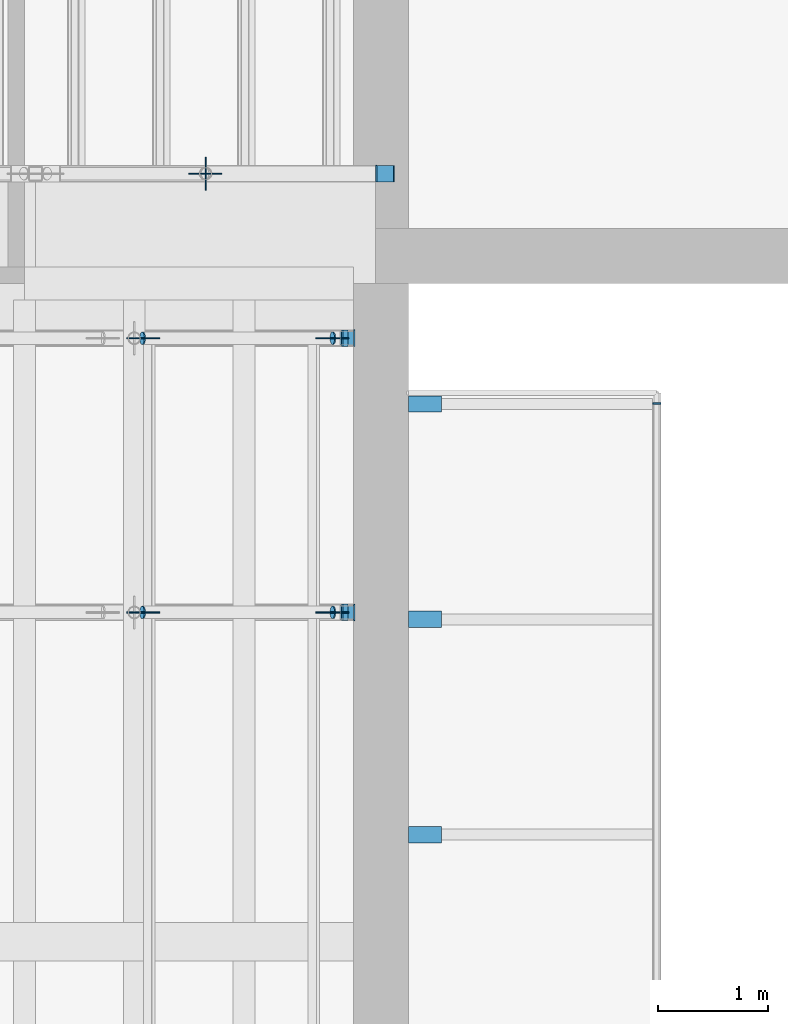
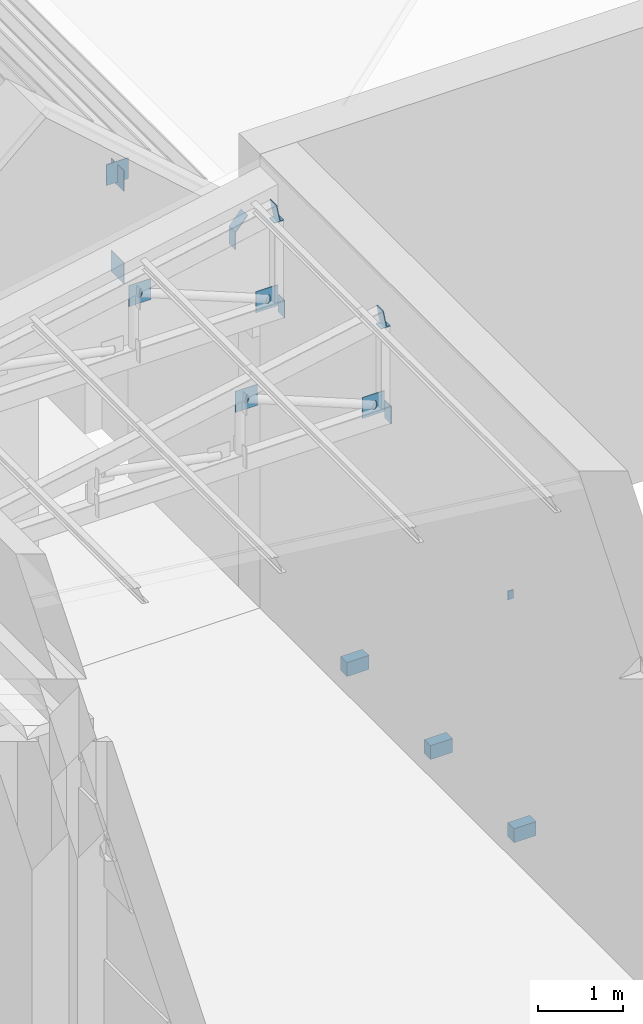
# One storey, part 97 of 118: 23 discrete accessories.
"""IFC4 building model written with IfcOpenShell, lengths in metres."""

from ifc_helpers import new_model, si_unit, direction, frame, origin, origin_2d, place, context, subcontext, project, spatial, rectangle, circle, extrude, material, material_profile, profile_set, type_object, element, save


model = new_model("IFC4")

# Units and contexts
model_context = context("Model", 3, precision=1e-05, world=origin(), true_north=direction((0.0, 1.0)))
body_context = subcontext(model_context, "Body", "Model", "MODEL_VIEW")
ifc_project = project(units=[si_unit("LENGTHUNIT", "METRE"), si_unit("AREAUNIT", "SQUARE_METRE"), si_unit("VOLUMEUNIT", "CUBIC_METRE"), si_unit("PLANEANGLEUNIT", "RADIAN"), si_unit("MASSUNIT", "GRAM", prefix="KILO")], contexts=[model_context])

# Site, building, storey
site_placement = place(None, origin())
site = spatial("IfcSite", under=ifc_project, at=site_placement, CompositionType="ELEMENT")
building_placement = place(site_placement, origin())
building = spatial("IfcBuilding", under=site, at=building_placement, Name="Saffron Lane Theatres", CompositionType="ELEMENT")
storey_placement = place(building_placement, frame((0.0, 0.0, 16.5)))
storey = spatial("IfcBuildingStorey", under=building, at=storey_placement, Name="L03", CompositionType="ELEMENT", Elevation=16.5)

# Discrete accessories
ifc_material_1 = material(Name="Steel Grade 350", Category="steel")
ifc_material_profile_1 = material_profile(ifc_material_1, rectangle(XDim=0.300048828125, YDim=0.300048828125, at=origin_2d()))
ifc_profile_set_1 = profile_set([ifc_material_profile_1], Name="Steel Grade 350")
discrete_accessory_type_1 = type_object("IfcDiscreteAccessoryType", Name="ST-GUSSET CONNECTION PLATE", PredefinedType="BRACKET", material=ifc_profile_set_1)
for number, where, z_axis, x_axis, name in (
    (1, (16.64501953125, 55.0, 4.75), (1.0, 0.0, 0.0), (0.0, 1.0, 0.0), "GB219"),
    (2, (16.64501953125, 55.0, 6.073486328125), (1.0, 0.0, 0.0), (0.0, 1.0, 0.0), "GB220"),
):
    element("IfcDiscreteAccessory", number, at=place(storey_placement, frame(where, z_axis=z_axis, x_axis=x_axis)), inside=storey, type_object=discrete_accessory_type_1, Name=name, PredefinedType="BRACKET", context=body_context, shape_type="SweptSolid", body=[
        extrude(rectangle(XDim=0.300048828125, YDim=0.300048828125, at=origin_2d()), origin(), (0.0, 0.0, 1.0), 0.010009765625),
    ])
for number, where, z_axis, x_axis, name in (
    (3, (16.645751953125, 54.9951171875, 6.120361328125), (0.0, 1.0, 0.0), (-1.0, 0.0, 0.0), "GB224"),
    (4, (17.80517578125, 50.9951171875, 4.802978515625), (0.0, 1.0, 0.0), (-1.0, 0.0, 0.0), "GB365"),
    (5, (16.082275390625, 50.9951171875, 5.493896484375), (0.0, 1.0, 0.0), (-1.0, 0.0, 0.0), "GB366"),
    (6, (17.80517578125, 53.4951171875, 4.802978515625), (0.0, 1.0, 0.0), (-1.0, 0.0, 0.0), "GB373"),
    (7, (16.082275390625, 53.4951171875, 5.493896484375), (0.0, 1.0, 0.0), (-1.0, 0.0, 0.0), "GB374"),
):
    element("IfcDiscreteAccessory", number, at=place(storey_placement, frame(where, z_axis=z_axis, x_axis=x_axis)), inside=storey, type_object=discrete_accessory_type_1, Name=name, PredefinedType="BRACKET", context=body_context, shape_type="SweptSolid", body=[
        extrude(rectangle(XDim=0.300048828125, YDim=0.300048828125, at=origin_2d()), origin(), (0.0, 0.0, 1.0), 0.009765625),
    ])
ifc_material_2 = material(Name="Steel Grade 350", Category="steel")
ifc_material_profile_2 = material_profile(ifc_material_2, circle(Radius=0.05712890625, at=origin_2d()))
ifc_profile_set_2 = profile_set([ifc_material_profile_2], Name="Steel Grade 350")
discrete_accessory_type_2 = type_object("IfcDiscreteAccessoryType", Name="ST-STEEL END CAP 114.3x6.0 CHS", PredefinedType="ANCHORPLATE", material=ifc_profile_set_2)
for number, where, z_axis, x_axis, name in (
    (8, (17.81640625, 51.0, 4.798583984375), (-0.931242779706, 0.0, 0.364399348581), (0.0, -1.0, 0.0), "EC502"),
    (9, (16.082275390625, 51.0, 5.493896484375), (-0.931242779706, 0.0, 0.364399348581), (0.0, -1.0, 0.0), "EC503"),
    (10, (17.81640625, 53.5, 4.798583984375), (-0.931242779706, 0.0, 0.364399348581), (0.0, -1.0, 0.0), "EC513"),
    (11, (16.082275390625, 53.5, 5.493896484375), (-0.931242779706, 0.0, 0.364399348581), (0.0, -1.0, 0.0), "EC514"),
):
    element("IfcDiscreteAccessory", number, at=place(storey_placement, frame(where, z_axis=z_axis, x_axis=x_axis)), inside=storey, type_object=discrete_accessory_type_2, Name=name, PredefinedType="ANCHORPLATE", context=body_context, shape_type="SweptSolid", body=[
        extrude(circle(Radius=0.05712890625, at=origin_2d()), origin(), (0.0, 0.0, 1.0), 0.011962890625),
    ])
ifc_material_3 = material(Name="Steel Grade 350", Category="steel")
ifc_material_profile_3 = material_profile(ifc_material_3, rectangle(XDim=0.125, YDim=0.125, at=origin_2d()))
ifc_profile_set_3 = profile_set([ifc_material_profile_3], Name="Steel Grade 350")
discrete_accessory_type_3 = type_object("IfcDiscreteAccessoryType", Name="ST-STEEL END CAP 125x125x6 SHS", PredefinedType="ANCHORPLATE", material=ifc_profile_set_3)
for number, where, z_axis, x_axis, name in (
    (12, (17.9375, 51.0, 5.890869140625), (0.0, 0.0, 1.0), (1.0, 0.0, 0.0), "EC499"),
    (13, (17.9375, 53.5, 5.890869140625), (0.0, 0.0, 1.0), (1.0, 0.0, 0.0), "EC510"),
):
    element("IfcDiscreteAccessory", number, at=place(storey_placement, frame(where, z_axis=z_axis, x_axis=x_axis)), inside=storey, type_object=discrete_accessory_type_3, Name=name, PredefinedType="ANCHORPLATE", context=body_context, shape_type="SweptSolid", body=[
        extrude(rectangle(XDim=0.125, YDim=0.125, at=origin_2d()), origin(), (0.0, 0.0, 1.0), 0.011962890625),
    ])
ifc_material_4 = material(Name="Steel Grade 350", Category="steel")
ifc_material_profile_4 = material_profile(ifc_material_4, rectangle(XDim=0.074951171875, YDim=0.125, at=origin_2d()))
ifc_profile_set_4 = profile_set([ifc_material_profile_4], Name="Steel Grade 350")
discrete_accessory_type_4 = type_object("IfcDiscreteAccessoryType", Name="ST-STEEL END CAP 125x75x5 RHS", PredefinedType="ANCHORPLATE", material=ifc_profile_set_4)
discrete_accessory_1_placement = place(storey_placement, frame((20.762451171875, 52.89990234375, -0.112548828125), z_axis=(0.0, 1.0, 0.0), x_axis=(-1.0, 0.0, 0.0)))
element("IfcDiscreteAccessory", 14, at=discrete_accessory_1_placement, inside=storey, type_object=discrete_accessory_type_4, Name="EC590", PredefinedType="ANCHORPLATE", context=body_context, shape_type="SweptSolid", body=[
    extrude(rectangle(XDim=0.074951171875, YDim=0.125, at=origin_2d()), origin(), (0.0, 0.0, 1.0), 0.01220703125),
])
ifc_material_5 = material(Name="Steel Grade 350", Category="steel")
ifc_material_profile_5 = material_profile(ifc_material_5, rectangle(XDim=0.14990234375, YDim=0.25, at=origin_2d()))
ifc_profile_set_5 = profile_set([ifc_material_profile_5], Name="Steel Grade 350")
discrete_accessory_type_5 = type_object("IfcDiscreteAccessoryType", Name="ST-STEEL END CAP 250x150x9 RHS", PredefinedType="ANCHORPLATE", material=ifc_profile_set_5)
for number, where, z_axis, x_axis, name in (
    (15, (18.199951171875, 55.0, 4.625), (1.0, 0.0, 0.0), (0.0, 1.0, 0.0), "EC330"),
    (16, (18.2919921875, 55.0, 4.835693359375), (-0.756363172452, 0.0, 0.654151932932), (0.0, -1.0, 0.0), "EC333"),
    (17, (18.0, 51.0, 4.625), (1.0, 0.0, 0.0), (0.0, 1.0, 0.0), "EC496"),
):
    element("IfcDiscreteAccessory", number, at=place(storey_placement, frame(where, z_axis=z_axis, x_axis=x_axis)), inside=storey, type_object=discrete_accessory_type_5, Name=name, PredefinedType="ANCHORPLATE", context=body_context, shape_type="SweptSolid", body=[
        extrude(rectangle(XDim=0.14990234375, YDim=0.25, at=origin_2d()), origin(), (0.0, 0.0, 1.0), 0.011962890625),
    ])
discrete_accessory_2_placement = place(storey_placement, frame((17.91357421875, 51.0, 6.02587890625), z_axis=(0.983547166232, 0.0, 0.180651520328), x_axis=(0.0, 1.0, 0.0)))
element("IfcDiscreteAccessory", 18, at=discrete_accessory_2_placement, inside=storey, type_object=discrete_accessory_type_5, Name="EC498", PredefinedType="ANCHORPLATE", context=body_context, shape_type="SweptSolid", body=[
    extrude(rectangle(XDim=0.14990234375, YDim=0.25, at=origin_2d()), origin(), (0.0, 0.0, 1.0), 0.01220703125),
])
discrete_accessory_3_placement = place(storey_placement, frame((18.0, 53.5, 4.625), z_axis=(1.0, 0.0, 0.0), x_axis=(0.0, 1.0, 0.0)))
element("IfcDiscreteAccessory", 19, at=discrete_accessory_3_placement, inside=storey, type_object=discrete_accessory_type_5, Name="EC507", PredefinedType="ANCHORPLATE", context=body_context, shape_type="SweptSolid", body=[
    extrude(rectangle(XDim=0.14990234375, YDim=0.25, at=origin_2d()), origin(), (0.0, 0.0, 1.0), 0.011962890625),
])
discrete_accessory_4_placement = place(storey_placement, frame((17.91357421875, 53.5, 6.02587890625), z_axis=(0.983547166232, 0.0, 0.180651520328), x_axis=(0.0, 1.0, 0.0)))
element("IfcDiscreteAccessory", 20, at=discrete_accessory_4_placement, inside=storey, type_object=discrete_accessory_type_5, Name="EC509", PredefinedType="ANCHORPLATE", context=body_context, shape_type="SweptSolid", body=[
    extrude(rectangle(XDim=0.14990234375, YDim=0.25, at=origin_2d()), origin(), (0.0, 0.0, 1.0), 0.01220703125),
])
for number, where, z_axis, x_axis, name in (
    (21, (18.64990234375, 48.97509765625, -0.44775390625), (0.0, 0.0, 1.0), (1.0, 0.0, 0.0), "FKW16.5-8"),
    (22, (18.64990234375, 50.9375, -0.44775390625), (0.0, 0.0, 1.0), (1.0, 0.0, 0.0), "FKW16.5-9"),
    (23, (18.64990234375, 52.89990234375, -0.44775390625), (0.0, 0.0, 1.0), (1.0, 0.0, 0.0), "FKW16.5-10"),
):
    element("IfcDiscreteAccessory", number, at=place(storey_placement, frame(where, z_axis=z_axis, x_axis=x_axis)), inside=storey, Name=name, PredefinedType="BRACKET", context=body_context, shape_type="SweptSolid", body=[
        extrude(rectangle(XDim=0.300048828125, YDim=0.14990234375, at=origin_2d()), origin(), (0.0, 0.0, 1.0), 0.199951171875),
    ])

save(model, "model.ifc")
